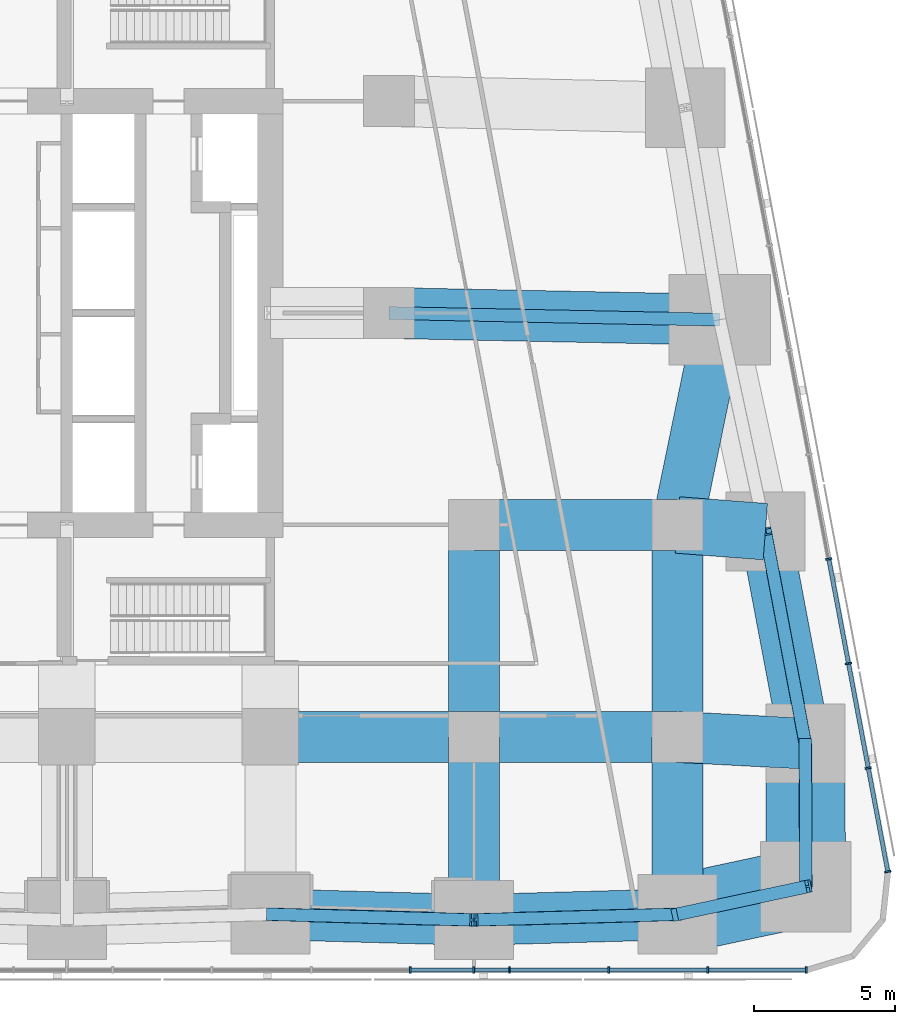
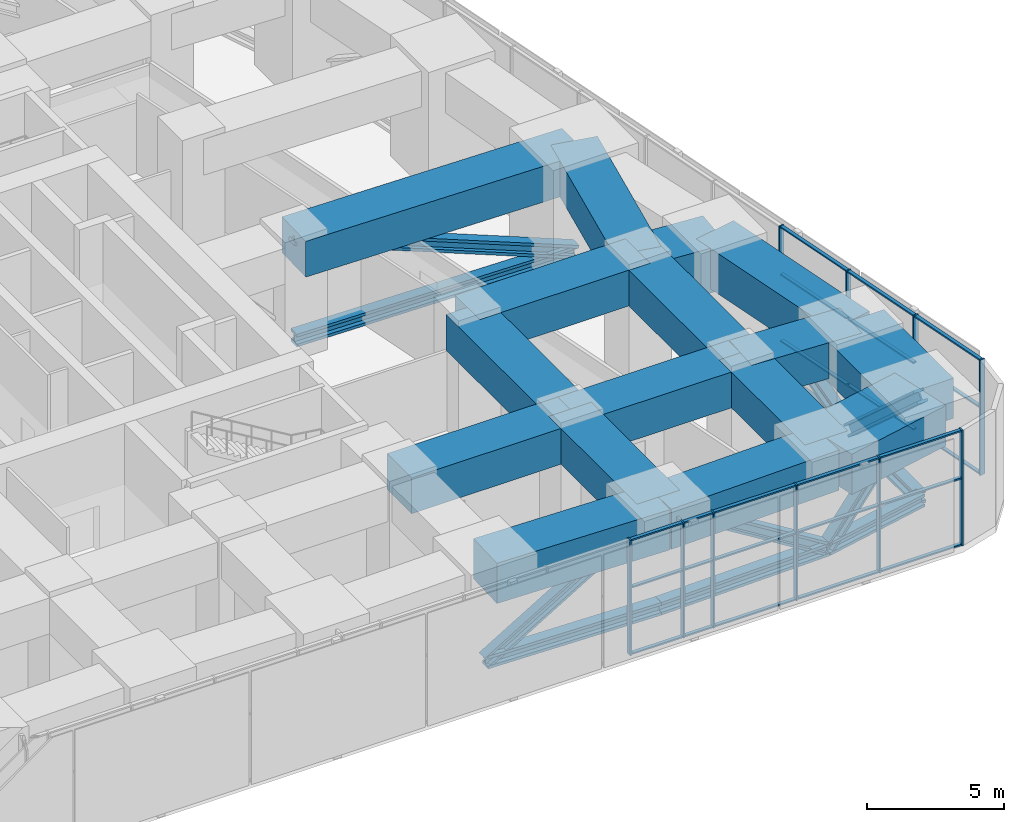
# One storey, part 5 of 20: 46 members, 16 beams, 2 elements without a shape of their own.
"""IFC4 building model written with IfcOpenShell, lengths in metres."""

from ifc_helpers import new_model, si_unit, direction, frame, origin, origin_2d, place, context, subcontext, project, spatial, rectangle, i_section, extrude, material, material_profile, profile_set, type_object, element, aggregate, save


model = new_model("IFC4")

# Units and contexts
model_context = context("Model", 3, precision=1e-05, world=origin(), true_north=direction((0.0, 1.0)))
body_context = subcontext(model_context, "Body", "Model", "MODEL_VIEW")
ifc_project = project(units=[si_unit("LENGTHUNIT", "METRE"), si_unit("AREAUNIT", "SQUARE_METRE"), si_unit("VOLUMEUNIT", "CUBIC_METRE"), si_unit("PLANEANGLEUNIT", "RADIAN"), si_unit("MASSUNIT", "GRAM", prefix="KILO")], contexts=[model_context])

# Site, building, storey
site_placement = place(None, origin())
site = spatial("IfcSite", under=ifc_project, at=site_placement, CompositionType="ELEMENT")
building_placement = place(site_placement, origin())
building = spatial("IfcBuilding", under=site, at=building_placement, Name="Sheger Commons Tower", CompositionType="ELEMENT")
storey_placement = place(building_placement, frame((0.0, 0.0, 72.5)))
storey = spatial("IfcBuildingStorey", under=building, at=storey_placement, Name="L18", CompositionType="ELEMENT", Elevation=72.5)

# Beams
ifc_material_1 = material(Name="Concrete C50/60", Category="concrete")
ifc_material_profile_1 = material_profile(ifc_material_1, rectangle(XDim=1.800048828125, YDim=1.60009765625, at=origin_2d()), Name="RC 1800x1600")
ifc_profile_set_1 = profile_set([ifc_material_profile_1], Name="Concrete C50/60")
beam_type_1 = type_object("IfcBeamType", Name="BEAM RC 1800x1600", PredefinedType="BEAM", material=ifc_profile_set_1)
for number, where, z_axis, x_axis, name in (
    (1, (28.800048828125, 7.5, 4.35009765625), (1.0, 0.0, 0.0), (0.0, 1.0, 0.0), "Beam 5/B-6/B under L19"),
    (2, (36.0, 7.5, 4.35009765625), (1.0, 0.0, 0.0), (0.0, 1.0, 0.0), "Beam 6/B-7/B under L19"),
):
    element("IfcBeam", number, at=place(storey_placement, frame(where, z_axis=z_axis, x_axis=x_axis)), inside=storey, type_object=beam_type_1, Name=name, PredefinedType="BEAM", context=body_context, shape_type="SweptSolid", body=[
        extrude(rectangle(XDim=1.800048828125, YDim=1.60009765625, at=origin_2d()), origin(), (0.0, 0.0, 1.0), 7.199951171875),
    ])
beam_1_placement = place(storey_placement, frame((43.199951171875, 7.5, 4.35009765625), z_axis=(0.998633543943, -0.052259400225, 0.0), x_axis=(0.052259400225, 0.998633543943, 0.0)))
element("IfcBeam", 3, at=beam_1_placement, inside=storey, type_object=beam_type_1, Name="Beam 7/B-E/B under L19", PredefinedType="BEAM", context=body_context, shape_type="SweptSolid", body=[
    extrude(rectangle(XDim=1.800048828125, YDim=1.60009765625, at=origin_2d()), origin(), (0.0, 0.0, 1.0), 4.5361328125),
])
beam_2_placement = place(storey_placement, frame((36.0, 15.0, 4.35009765625), z_axis=(1.0, 0.0, 0.0), x_axis=(0.0, 1.0, 0.0)))
element("IfcBeam", 4, at=beam_2_placement, inside=storey, type_object=beam_type_1, Name="Beam 6/C-7/C under L19", PredefinedType="BEAM", context=body_context, shape_type="SweptSolid", body=[
    extrude(rectangle(XDim=1.800048828125, YDim=1.60009765625, at=origin_2d()), origin(), (0.0, 0.0, 1.0), 7.199951171875),
])
beam_3_placement = place(storey_placement, frame((33.0, 22.5, 4.35009765625), z_axis=(0.999794692776, -0.02026258368, 0.0), x_axis=(0.02026258368, 0.999794692776, 0.0)))
element("IfcBeam", 5, at=beam_3_placement, inside=storey, type_object=beam_type_1, Name="Beam 6-3000/D-7/D under L19", PredefinedType="BEAM", context=body_context, shape_type="SweptSolid", body=[
    extrude(rectangle(XDim=1.800048828125, YDim=1.60009765625, at=origin_2d()), origin(), (0.0, 0.0, 1.0), 11.699462890625),
])
beam_4_placement = place(storey_placement, frame((36.0, 1.02490234375, 4.35009765625), z_axis=(0.0, 1.0, 0.0), x_axis=(-1.0, 0.0, 0.0)))
element("IfcBeam", 6, at=beam_4_placement, inside=storey, type_object=beam_type_1, Name="Beam 6/A-6/B under L19", PredefinedType="BEAM", context=body_context, shape_type="SweptSolid", body=[
    extrude(rectangle(XDim=1.800048828125, YDim=1.60009765625, at=origin_2d()), origin(), (0.0, 0.0, 1.0), 6.47509765625),
])
beam_5_placement = place(storey_placement, frame((36.0, 7.5, 4.35009765625), z_axis=(0.0, 1.0, 0.0), x_axis=(-1.0, 0.0, 0.0)))
element("IfcBeam", 7, at=beam_5_placement, inside=storey, type_object=beam_type_1, Name="Beam 6/B-6/C under L19", PredefinedType="BEAM", context=body_context, shape_type="SweptSolid", body=[
    extrude(rectangle(XDim=1.800048828125, YDim=1.60009765625, at=origin_2d()), origin(), (0.0, 0.0, 1.0), 7.5),
])
beam_6_placement = place(storey_placement, frame((43.199951171875, 1.22509765625, 4.35009765625), z_axis=(0.0, 1.0, 0.0), x_axis=(-1.0, 0.0, 0.0)))
element("IfcBeam", 8, at=beam_6_placement, inside=storey, type_object=beam_type_1, Name="Beam 7/A-7/B under L19", PredefinedType="BEAM", context=body_context, shape_type="SweptSolid", body=[
    extrude(rectangle(XDim=1.800048828125, YDim=1.60009765625, at=origin_2d()), origin(), (0.0, 0.0, 1.0), 6.27490234375),
])
beam_7_placement = place(storey_placement, frame((43.199951171875, 7.5, 4.35009765625), z_axis=(0.0, 1.0, 0.0), x_axis=(-1.0, 0.0, 0.0)))
element("IfcBeam", 9, at=beam_7_placement, inside=storey, type_object=beam_type_1, Name="Beam 7/B-7/C under L19", PredefinedType="BEAM", context=body_context, shape_type="SweptSolid", body=[
    extrude(rectangle(XDim=1.800048828125, YDim=1.60009765625, at=origin_2d()), origin(), (0.0, 0.0, 1.0), 7.5),
])
beam_8_placement = place(storey_placement, frame((43.199951171875, 15.0, 4.35009765625), z_axis=(0.201880503661, 0.979410160373, 0.0), x_axis=(-0.979410160373, 0.201880503661, 0.0)))
element("IfcBeam", 10, at=beam_8_placement, inside=storey, type_object=beam_type_1, Name="Beam 7/C-7/D under L19", PredefinedType="BEAM", context=body_context, shape_type="SweptSolid", body=[
    extrude(rectangle(XDim=1.800048828125, YDim=1.60009765625, at=origin_2d()), origin(), (0.0, 0.0, 1.0), 7.41552734375),
])
ifc_material_2 = material(Name="Concrete C50/60", Category="concrete")
ifc_material_profile_2 = material_profile(ifc_material_2, rectangle(XDim=2.0, YDim=2.0, at=origin_2d()), Name="RC 2000x2000")
ifc_profile_set_2 = profile_set([ifc_material_profile_2], Name="Concrete C50/60")
beam_type_2 = type_object("IfcBeamType", Name="BEAM RC 2000x2000", PredefinedType="BEAM", material=ifc_profile_set_2)
beam_9_placement = place(storey_placement, frame((43.199951171875, 15.0, 4.14990234375), z_axis=(0.997114873388, -0.075907372956, 0.0), x_axis=(0.075907372956, 0.997114873388, 0.0)))
element("IfcBeam", 11, at=beam_9_placement, inside=storey, type_object=beam_type_2, Name="Beam 7/C-E/C under L19", PredefinedType="BEAM", context=body_context, shape_type="SweptSolid", body=[
    extrude(rectangle(XDim=2.0, YDim=2.0, at=origin_2d()), origin(), (0.0, 0.0, 1.0), 3.123046875),
])

# Members
ifc_material_3 = material(Name="Steel S460", Category="steel")
ifc_material_profile_3 = material_profile(ifc_material_3, i_section(OverallWidth=0.4541015625, OverallDepth=0.569091796875, WebThickness=0.077880859375, FlangeThickness=0.125, at=origin_2d()), Name="HD 400x1086")
ifc_profile_set_3 = profile_set([ifc_material_profile_3], Name="Steel S460")
member_type_1 = type_object("IfcMemberType", Name="BRACE HD 400x1086", PredefinedType="BRACE", material=ifc_profile_set_3)
member_1_placement = place(storey_placement, frame((33.0, 22.5, 4.85009765625), z_axis=(0.931805978146, -0.018884673766, -0.362465154447), x_axis=(0.02026258368, 0.999794692776, 0.0)))
element("IfcMember", 12, at=member_1_placement, inside=storey, type_object=member_type_1, Name="Outrigger E diagonal 2", PredefinedType="BRACE", context=body_context, shape_type="SweptSolid", body=[
    extrude(i_section(OverallWidth=0.4541015625, OverallDepth=0.569091796875, WebThickness=0.077880859375, FlangeThickness=0.125, at=origin_2d()), origin(), (0.0, 0.0, 1.0), 12.552978515625),
])
ifc_material_4 = material(Name="Steel S460", Category="steel")
ifc_material_profile_4 = material_profile(ifc_material_4, i_section(OverallWidth=0.44189453125, OverallDepth=0.531005859375, WebThickness=0.06591796875, FlangeThickness=0.10595703125, at=origin_2d()), Name="HD 400x900")
ifc_profile_set_4 = profile_set([ifc_material_profile_4], Name="Steel S460")
member_type_2 = type_object("IfcMemberType", Name="BRACE HD 400x900", PredefinedType="BRACE", material=ifc_profile_set_4)
for number, where, z_axis, x_axis, name in (
    (13, (28.800048828125, 1.22509765625, 0.300048828125), (0.845111730935, -0.023498410341, 0.534073016494), (0.027794350926, 0.9996136624, 0.0), "Belt truss diagonal 28.800,1.225-36.000,1.025"),
    (14, (43.199951171875, 1.22509765625, 0.300048828125), (-0.845111730935, -0.023498410341, 0.534073016494), (0.027794350926, -0.9996136624, 0.0), "Belt truss diagonal 36.000,1.025-43.200,1.225"),
):
    element("IfcMember", number, at=place(storey_placement, frame(where, z_axis=z_axis, x_axis=x_axis)), inside=storey, type_object=member_type_2, Name=name, PredefinedType="BRACE", context=body_context, shape_type="SweptSolid", body=[
        extrude(i_section(OverallWidth=0.44189453125, OverallDepth=0.531005859375, WebThickness=0.06591796875, FlangeThickness=0.10595703125, at=origin_2d()), origin(), (0.0, 0.0, 1.0), 8.51953125),
    ])
member_2_placement = place(storey_placement, frame((43.199951171875, 1.22509765625, 0.300048828125), z_axis=(0.699022780536, 0.149380519046, 0.699322967462), x_axis=(-0.208980552394, 0.977919796671, 0.0)))
element("IfcMember", 15, at=member_2_placement, inside=storey, type_object=member_type_2, Name="Belt truss diagonal 43.200,1.225-47.748,2.197", PredefinedType="BRACE", context=body_context, shape_type="SweptSolid", body=[
    extrude(i_section(OverallWidth=0.44189453125, OverallDepth=0.531005859375, WebThickness=0.06591796875, FlangeThickness=0.10595703125, at=origin_2d()), origin(), (0.0, 0.0, 1.0), 6.50634765625),
])
member_3_placement = place(storey_placement, frame((47.72998046875, 7.262939453125, 0.300048828125), z_axis=(0.002653189258, -0.743968609516, 0.668209300026), x_axis=(0.999993640937, 0.003566242382, 0.0)))
element("IfcMember", 16, at=member_3_placement, inside=storey, type_object=member_type_2, Name="Belt truss diagonal 47.748,2.197-47.730,7.263", PredefinedType="BRACE", context=body_context, shape_type="SweptSolid", body=[
    extrude(i_section(OverallWidth=0.44189453125, OverallDepth=0.531005859375, WebThickness=0.06591796875, FlangeThickness=0.10595703125, at=origin_2d()), origin(), (0.0, 0.0, 1.0), 6.809326171875),
])
member_4_placement = place(storey_placement, frame((47.72998046875, 7.262939453125, 0.300048828125), z_axis=(-0.159356525965, 0.844040082352, 0.512056478346), x_axis=(-0.982639655108, -0.18552441405, 0.0)))
element("IfcMember", 17, at=member_4_placement, inside=storey, type_object=member_type_2, Name="Belt truss diagonal 47.730,7.263-46.314,14.763", PredefinedType="BRACE", context=body_context, shape_type="SweptSolid", body=[
    extrude(i_section(OverallWidth=0.44189453125, OverallDepth=0.531005859375, WebThickness=0.06591796875, FlangeThickness=0.10595703125, at=origin_2d()), origin(), (0.0, 0.0, 1.0), 8.8857421875),
])
ifc_material_5 = material(Name="Steel S460", Category="steel")
ifc_material_profile_5 = material_profile(ifc_material_5, i_section(OverallWidth=0.4541015625, OverallDepth=0.569091796875, WebThickness=0.077880859375, FlangeThickness=0.125, at=origin_2d()), Name="HD 400x1086")
ifc_profile_set_5 = profile_set([ifc_material_profile_5], Name="Steel S460")
member_type_3 = type_object("IfcMemberType", Name="CHORD HD 400x1086", PredefinedType="CHORD", material=ifc_profile_set_5)
for number, where, z_axis, x_axis, name in (
    (18, (28.800048828125, 1.22509765625, 0.300048828125), (0.9996136624, -0.027794350926, 0.0), (0.027794350926, 0.9996136624, 0.0), "Belt truss bottom chord 28.800,1.225-36.000,1.025"),
    (19, (36.0, 1.02490234375, 0.300048828125), (0.9996136624, 0.027794350926, 0.0), (-0.027794350926, 0.9996136624, 0.0), "Belt truss bottom chord 36.000,1.025-43.200,1.225"),
):
    element("IfcMember", number, at=place(storey_placement, frame(where, z_axis=z_axis, x_axis=x_axis)), inside=storey, type_object=member_type_3, Name=name, PredefinedType="CHORD", context=body_context, shape_type="SweptSolid", body=[
        extrude(i_section(OverallWidth=0.4541015625, OverallDepth=0.569091796875, WebThickness=0.077880859375, FlangeThickness=0.125, at=origin_2d()), origin(), (0.0, 0.0, 1.0), 7.20263671875),
    ])
member_5_placement = place(storey_placement, frame((43.199951171875, 1.22509765625, 0.300048828125), z_axis=(0.977919796671, 0.208980552394, 0.0), x_axis=(-0.208980552394, 0.977919796671, 0.0)))
element("IfcMember", 20, at=member_5_placement, inside=storey, type_object=member_type_3, Name="Belt truss bottom chord 43.200,1.225-47.748,2.197", PredefinedType="CHORD", context=body_context, shape_type="SweptSolid", body=[
    extrude(i_section(OverallWidth=0.4541015625, OverallDepth=0.569091796875, WebThickness=0.077880859375, FlangeThickness=0.125, at=origin_2d()), origin(), (0.0, 0.0, 1.0), 4.65087890625),
])
member_6_placement = place(storey_placement, frame((47.748046875, 2.197021484375, 0.300048828125), z_axis=(-0.003566242382, 0.999993640937, 0.0), x_axis=(-0.999993640937, -0.003566242382, 0.0)))
element("IfcMember", 21, at=member_6_placement, inside=storey, type_object=member_type_3, Name="Belt truss bottom chord 47.748,2.197-47.730,7.263", PredefinedType="CHORD", context=body_context, shape_type="SweptSolid", body=[
    extrude(i_section(OverallWidth=0.4541015625, OverallDepth=0.569091796875, WebThickness=0.077880859375, FlangeThickness=0.125, at=origin_2d()), origin(), (0.0, 0.0, 1.0), 5.06591796875),
])
member_7_placement = place(storey_placement, frame((47.72998046875, 7.262939453125, 0.300048828125), z_axis=(-0.18552441405, 0.982639655108, 0.0), x_axis=(-0.982639655108, -0.18552441405, 0.0)))
element("IfcMember", 22, at=member_7_placement, inside=storey, type_object=member_type_3, Name="Belt truss bottom chord 47.730,7.263-46.314,14.763", PredefinedType="CHORD", context=body_context, shape_type="SweptSolid", body=[
    extrude(i_section(OverallWidth=0.4541015625, OverallDepth=0.569091796875, WebThickness=0.077880859375, FlangeThickness=0.125, at=origin_2d()), origin(), (0.0, 0.0, 1.0), 7.632568359375),
])
member_8_placement = place(storey_placement, frame((33.0, 22.5, 0.300048828125), z_axis=(0.999794692776, -0.02026258368, 0.0), x_axis=(0.02026258368, 0.999794692776, 0.0)))
element("IfcMember", 23, at=member_8_placement, inside=storey, type_object=member_type_3, Name="Outrigger E bottom chord 6-3000/D-44.697,22.263", PredefinedType="CHORD", context=body_context, shape_type="SweptSolid", body=[
    extrude(i_section(OverallWidth=0.4541015625, OverallDepth=0.569091796875, WebThickness=0.077880859375, FlangeThickness=0.125, at=origin_2d()), origin(), (0.0, 0.0, 1.0), 11.699462890625),
])

# Curtain wall, members
ifc_material_6 = material(Name="Black aluminium curtain wall, dark tinted glazing", Category="aluminium")
curtain_wall_type = type_object("IfcCurtainWallType", Name="CURTAIN WALL CW3 SKY FLOOR", PredefinedType="USERDEFINED", material=ifc_material_6)
curtain_wall_1_placement = place(storey_placement, origin())
curtain_wall_1 = element("IfcCurtainWall", 24, at=curtain_wall_1_placement, inside=storey, type_object=curtain_wall_type, Name="Curtain Wall Cw3 Sky Floor S1 L18", ObjectType="UNITISED CURTAIN WALL", PredefinedType="USERDEFINED")
ifc_material_7 = material(Name="Black anodised aluminium", Category="aluminium")
ifc_material_profile_6 = material_profile(ifc_material_7, rectangle(XDim=0.22509765625, YDim=0.06494140625, at=origin_2d()), Name="AL 65x225")
ifc_profile_set_6 = profile_set([ifc_material_profile_6], Name="Black anodised aluminium")
member_type_4 = type_object("IfcMemberType", Name="MULLION AL 65x225", PredefinedType="MULLION", material=ifc_profile_set_6)
member_9_placement = place(storey_placement, frame((33.751953125, -0.75, 0.0), z_axis=(0.0, 0.0, 1.0), x_axis=(0.0, 1.0, 0.0)))
member_9 = element("IfcMember", 25, at=member_9_placement, type_object=member_type_4, Name="CW3 mullion 12", PredefinedType="MULLION", context=body_context, shape_type="SweptSolid", body=[
    extrude(rectangle(XDim=0.22509765625, YDim=0.06494140625, at=origin_2d()), origin(), (0.0, 0.0, 1.0), 5.14990234375),
])
member_10_placement = place(storey_placement, frame((36.0, -0.75, 0.0), z_axis=(0.0, 0.0, 1.0), x_axis=(0.0, 1.0, 0.0)))
member_10 = element("IfcMember", 26, at=member_10_placement, type_object=member_type_4, Name="CW3 mullion 13", PredefinedType="MULLION", context=body_context, shape_type="SweptSolid", body=[
    extrude(rectangle(XDim=0.22509765625, YDim=0.06494140625, at=origin_2d()), origin(), (0.0, 0.0, 1.0), 5.14990234375),
])
member_11_placement = place(storey_placement, frame((37.260986328125, -0.75, 0.0), z_axis=(0.0, 0.0, 1.0), x_axis=(0.0, 1.0, 0.0)))
member_11 = element("IfcMember", 27, at=member_11_placement, type_object=member_type_4, Name="CW3 mullion 14", PredefinedType="MULLION", context=body_context, shape_type="SweptSolid", body=[
    extrude(rectangle(XDim=0.22509765625, YDim=0.06494140625, at=origin_2d()), origin(), (0.0, 0.0, 1.0), 5.14990234375),
])
member_12_placement = place(storey_placement, frame((40.77099609375, -0.75, 0.0), z_axis=(0.0, 0.0, 1.0), x_axis=(0.0, 1.0, 0.0)))
member_12 = element("IfcMember", 28, at=member_12_placement, type_object=member_type_4, Name="CW3 mullion 15", PredefinedType="MULLION", context=body_context, shape_type="SweptSolid", body=[
    extrude(rectangle(XDim=0.22509765625, YDim=0.06494140625, at=origin_2d()), origin(), (0.0, 0.0, 1.0), 5.14990234375),
])
member_13_placement = place(storey_placement, frame((44.281005859375, -0.75, 0.0), z_axis=(0.0, 0.0, 1.0), x_axis=(0.0, 1.0, 0.0)))
member_13 = element("IfcMember", 29, at=member_13_placement, type_object=member_type_4, Name="CW3 mullion 16", PredefinedType="MULLION", context=body_context, shape_type="SweptSolid", body=[
    extrude(rectangle(XDim=0.22509765625, YDim=0.06494140625, at=origin_2d()), origin(), (0.0, 0.0, 1.0), 5.14990234375),
])
member_14_placement = place(storey_placement, frame((47.758544921875, -0.75, 0.0), z_axis=(0.0, 0.0, 1.0), x_axis=(0.0, 1.0, 0.0)))
member_14 = element("IfcMember", 30, at=member_14_placement, type_object=member_type_4, Name="CW3 mullion 17", PredefinedType="MULLION", context=body_context, shape_type="SweptSolid", body=[
    extrude(rectangle(XDim=0.22509765625, YDim=0.06494140625, at=origin_2d()), origin(), (0.0, 0.0, 1.0), 5.14990234375),
])

curtain_wall_2_placement = place(storey_placement, origin())
curtain_wall_2 = element("IfcCurtainWall", 31, at=curtain_wall_2_placement, inside=storey, type_object=curtain_wall_type, Name="Curtain Wall Cw3 Sky Floor E1 L18", ObjectType="UNITISED CURTAIN WALL", PredefinedType="USERDEFINED")
member_15_placement = place(storey_placement, frame((50.64697265625, 2.73486328125, 0.0), z_axis=(0.0, 0.0, 1.0), x_axis=(-0.982623514181, -0.185609884918, 0.0)))
member_15 = element("IfcMember", 32, at=member_15_placement, type_object=member_type_4, Name="CW3 mullion 1", PredefinedType="MULLION", context=body_context, shape_type="SweptSolid", body=[
    extrude(rectangle(XDim=0.22509765625, YDim=0.06494140625, at=origin_2d()), origin(), (0.0, 0.0, 1.0), 5.14990234375),
])
member_16_placement = place(storey_placement, frame((49.95458984375, 6.400634765625, 0.0), z_axis=(0.0, 0.0, 1.0), x_axis=(-0.982623514181, -0.185609884918, 0.0)))
member_16 = element("IfcMember", 33, at=member_16_placement, type_object=member_type_4, Name="CW3 mullion 2", PredefinedType="MULLION", context=body_context, shape_type="SweptSolid", body=[
    extrude(rectangle(XDim=0.22509765625, YDim=0.06494140625, at=origin_2d()), origin(), (0.0, 0.0, 1.0), 5.14990234375),
])
member_17_placement = place(storey_placement, frame((49.256103515625, 10.098388671875, 0.0), z_axis=(0.0, 0.0, 1.0), x_axis=(-0.982623514181, -0.185609884918, 0.0)))
member_17 = element("IfcMember", 34, at=member_17_placement, type_object=member_type_4, Name="CW3 mullion 3", PredefinedType="MULLION", context=body_context, shape_type="SweptSolid", body=[
    extrude(rectangle(XDim=0.22509765625, YDim=0.06494140625, at=origin_2d()), origin(), (0.0, 0.0, 1.0), 5.14990234375),
])
member_18_placement = place(storey_placement, frame((48.5576171875, 13.7958984375, 0.0), z_axis=(0.0, 0.0, 1.0), x_axis=(-0.982623514181, -0.185609884918, 0.0)))
member_18 = element("IfcMember", 35, at=member_18_placement, type_object=member_type_4, Name="CW3 mullion 4", PredefinedType="MULLION", context=body_context, shape_type="SweptSolid", body=[
    extrude(rectangle(XDim=0.22509765625, YDim=0.06494140625, at=origin_2d()), origin(), (0.0, 0.0, 1.0), 5.14990234375),
])

# Beams
ifc_material_8 = material(Name="Concrete C50/60", Category="concrete")
ifc_material_profile_7 = material_profile(ifc_material_8, rectangle(XDim=1.800048828125, YDim=1.800048828125, at=origin_2d()), Name="RC 1800x1800")
ifc_profile_set_7 = profile_set([ifc_material_profile_7], Name="Concrete C50/60")
beam_type_3 = type_object("IfcBeamType", Name="SPANDREL RC 1800x1800", PredefinedType="SPANDREL", material=ifc_profile_set_7)
for number, where, z_axis, x_axis, name in (
    (36, (28.800048828125, 1.22509765625, 4.25), (0.9996136624, -0.027794350926, 0.0), (0.027794350926, 0.9996136624, 0.0), "Beam 5/A-6/A under L19"),
    (37, (36.0, 1.02490234375, 4.25), (0.9996136624, 0.027794350926, 0.0), (-0.027794350926, 0.9996136624, 0.0), "Beam 6/A-7/A under L19"),
):
    element("IfcBeam", number, at=place(storey_placement, frame(where, z_axis=z_axis, x_axis=x_axis)), inside=storey, type_object=beam_type_3, Name=name, PredefinedType="SPANDREL", context=body_context, shape_type="SweptSolid", body=[
        extrude(rectangle(XDim=1.800048828125, YDim=1.800048828125, at=origin_2d()), origin(), (0.0, 0.0, 1.0), 7.20263671875),
    ])
beam_10_placement = place(storey_placement, frame((47.72998046875, 7.262939453125, 4.25), z_axis=(-0.18552441405, 0.982639655108, 0.0), x_axis=(-0.982639655108, -0.18552441405, 0.0)))
element("IfcBeam", 38, at=beam_10_placement, inside=storey, type_object=beam_type_3, Name="Beam E/B-E/C under L19", PredefinedType="SPANDREL", context=body_context, shape_type="SweptSolid", body=[
    extrude(rectangle(XDim=1.800048828125, YDim=1.800048828125, at=origin_2d()), origin(), (0.0, 0.0, 1.0), 7.632568359375),
])
ifc_material_9 = material(Name="Concrete C50/60", Category="concrete")
ifc_material_profile_8 = material_profile(ifc_material_9, rectangle(XDim=2.800048828125, YDim=1.800048828125, at=origin_2d()), Name="RC 2800x1800")
ifc_profile_set_8 = profile_set([ifc_material_profile_8], Name="Concrete C50/60")
beam_type_4 = type_object("IfcBeamType", Name="SPANDREL RC 2800x1800", PredefinedType="SPANDREL", material=ifc_profile_set_8)
beam_11_placement = place(storey_placement, frame((43.199951171875, 1.22509765625, 4.25), z_axis=(0.977919796671, 0.208980552394, 0.0), x_axis=(-0.208980552394, 0.977919796671, 0.0)))
element("IfcBeam", 39, at=beam_11_placement, inside=storey, type_object=beam_type_4, Name="Beam 7/A-49.461,0.778 under L19", PredefinedType="SPANDREL", context=body_context, shape_type="SweptSolid", body=[
    extrude(rectangle(XDim=2.800048828125, YDim=1.800048828125, at=origin_2d()), origin(), (0.0, 0.0, 1.0), 4.65087890625),
])
beam_12_placement = place(storey_placement, frame((47.748046875, 2.197021484375, 4.25), z_axis=(-0.003566242382, 0.999993640937, 0.0), x_axis=(-0.999993640937, -0.003566242382, 0.0)))
element("IfcBeam", 40, at=beam_12_placement, inside=storey, type_object=beam_type_4, Name="Beam 49.461,0.778-E/B under L19", PredefinedType="SPANDREL", context=body_context, shape_type="SweptSolid", body=[
    extrude(rectangle(XDim=2.800048828125, YDim=1.800048828125, at=origin_2d()), origin(), (0.0, 0.0, 1.0), 5.06591796875),
])

# Member
ifc_material_10 = material(Name="Black anodised aluminium", Category="aluminium")
ifc_material_profile_9 = material_profile(ifc_material_10, rectangle(XDim=0.14990234375, YDim=0.06494140625, at=origin_2d()), Name="AL 65x150")
ifc_profile_set_9 = profile_set([ifc_material_profile_9], Name="Black anodised aluminium")
member_type_5 = type_object("IfcMemberType", Name="TRANSOM AL 65x150", PredefinedType="USERDEFINED", material=ifc_profile_set_9)
member_19_placement = place(storey_placement, frame((33.784423828125, -0.75, 0.032470703125), z_axis=(1.0, 0.0, 0.0), x_axis=(0.0, 1.0, 0.0)))
member_19 = element("IfcMember", 41, at=member_19_placement, type_object=member_type_5, Name="CW3 transom 12.1", ObjectType="TRANSOM", PredefinedType="USERDEFINED", context=body_context, shape_type="SweptSolid", body=[
    extrude(rectangle(XDim=0.14990234375, YDim=0.06494140625, at=origin_2d()), origin(), (0.0, 0.0, 1.0), 2.18310546875),
])

member_20_placement = place(storey_placement, frame((33.784423828125, -0.75, 3.0), z_axis=(1.0, 0.0, 0.0), x_axis=(0.0, 1.0, 0.0)))
member_20 = element("IfcMember", 42, at=member_20_placement, type_object=member_type_5, Name="CW3 transom 12.2", ObjectType="TRANSOM", PredefinedType="USERDEFINED", context=body_context, shape_type="SweptSolid", body=[
    extrude(rectangle(XDim=0.14990234375, YDim=0.06494140625, at=origin_2d()), origin(), (0.0, 0.0, 1.0), 2.18310546875),
])

member_21_placement = place(storey_placement, frame((33.784423828125, -0.75, 5.117431640625), z_axis=(1.0, 0.0, 0.0), x_axis=(0.0, 1.0, 0.0)))
member_21 = element("IfcMember", 43, at=member_21_placement, type_object=member_type_5, Name="CW3 transom 12.3", ObjectType="TRANSOM", PredefinedType="USERDEFINED", context=body_context, shape_type="SweptSolid", body=[
    extrude(rectangle(XDim=0.14990234375, YDim=0.06494140625, at=origin_2d()), origin(), (0.0, 0.0, 1.0), 2.18310546875),
])

member_22_placement = place(storey_placement, frame((36.032470703125, -0.75, 0.032470703125), z_axis=(1.0, 0.0, 0.0), x_axis=(0.0, 1.0, 0.0)))
member_22 = element("IfcMember", 44, at=member_22_placement, type_object=member_type_5, Name="CW3 transom 13.1", ObjectType="TRANSOM", PredefinedType="USERDEFINED", context=body_context, shape_type="SweptSolid", body=[
    extrude(rectangle(XDim=0.14990234375, YDim=0.06494140625, at=origin_2d()), origin(), (0.0, 0.0, 1.0), 1.196044921875),
])

member_23_placement = place(storey_placement, frame((36.032470703125, -0.75, 3.0), z_axis=(1.0, 0.0, 0.0), x_axis=(0.0, 1.0, 0.0)))
member_23 = element("IfcMember", 45, at=member_23_placement, type_object=member_type_5, Name="CW3 transom 13.2", ObjectType="TRANSOM", PredefinedType="USERDEFINED", context=body_context, shape_type="SweptSolid", body=[
    extrude(rectangle(XDim=0.14990234375, YDim=0.06494140625, at=origin_2d()), origin(), (0.0, 0.0, 1.0), 1.196044921875),
])

member_24_placement = place(storey_placement, frame((36.032470703125, -0.75, 5.117431640625), z_axis=(1.0, 0.0, 0.0), x_axis=(0.0, 1.0, 0.0)))
member_24 = element("IfcMember", 46, at=member_24_placement, type_object=member_type_5, Name="CW3 transom 13.3", ObjectType="TRANSOM", PredefinedType="USERDEFINED", context=body_context, shape_type="SweptSolid", body=[
    extrude(rectangle(XDim=0.14990234375, YDim=0.06494140625, at=origin_2d()), origin(), (0.0, 0.0, 1.0), 1.196044921875),
])

member_25_placement = place(storey_placement, frame((37.29345703125, -0.75, 0.032470703125), z_axis=(1.0, 0.0, 0.0), x_axis=(0.0, 1.0, 0.0)))
member_25 = element("IfcMember", 47, at=member_25_placement, type_object=member_type_5, Name="CW3 transom 14.1", ObjectType="TRANSOM", PredefinedType="USERDEFINED", context=body_context, shape_type="SweptSolid", body=[
    extrude(rectangle(XDim=0.14990234375, YDim=0.06494140625, at=origin_2d()), origin(), (0.0, 0.0, 1.0), 3.445068359375),
])

member_26_placement = place(storey_placement, frame((37.29345703125, -0.75, 3.0), z_axis=(1.0, 0.0, 0.0), x_axis=(0.0, 1.0, 0.0)))
member_26 = element("IfcMember", 48, at=member_26_placement, type_object=member_type_5, Name="CW3 transom 14.2", ObjectType="TRANSOM", PredefinedType="USERDEFINED", context=body_context, shape_type="SweptSolid", body=[
    extrude(rectangle(XDim=0.14990234375, YDim=0.06494140625, at=origin_2d()), origin(), (0.0, 0.0, 1.0), 3.445068359375),
])

member_27_placement = place(storey_placement, frame((37.29345703125, -0.75, 5.117431640625), z_axis=(1.0, 0.0, 0.0), x_axis=(0.0, 1.0, 0.0)))
member_27 = element("IfcMember", 49, at=member_27_placement, type_object=member_type_5, Name="CW3 transom 14.3", ObjectType="TRANSOM", PredefinedType="USERDEFINED", context=body_context, shape_type="SweptSolid", body=[
    extrude(rectangle(XDim=0.14990234375, YDim=0.06494140625, at=origin_2d()), origin(), (0.0, 0.0, 1.0), 3.445068359375),
])

member_28_placement = place(storey_placement, frame((40.803466796875, -0.75, 0.032470703125), z_axis=(1.0, 0.0, 0.0), x_axis=(0.0, 1.0, 0.0)))
member_28 = element("IfcMember", 50, at=member_28_placement, type_object=member_type_5, Name="CW3 transom 15.1", ObjectType="TRANSOM", PredefinedType="USERDEFINED", context=body_context, shape_type="SweptSolid", body=[
    extrude(rectangle(XDim=0.14990234375, YDim=0.06494140625, at=origin_2d()), origin(), (0.0, 0.0, 1.0), 3.445068359375),
])

member_29_placement = place(storey_placement, frame((40.803466796875, -0.75, 3.0), z_axis=(1.0, 0.0, 0.0), x_axis=(0.0, 1.0, 0.0)))
member_29 = element("IfcMember", 51, at=member_29_placement, type_object=member_type_5, Name="CW3 transom 15.2", ObjectType="TRANSOM", PredefinedType="USERDEFINED", context=body_context, shape_type="SweptSolid", body=[
    extrude(rectangle(XDim=0.14990234375, YDim=0.06494140625, at=origin_2d()), origin(), (0.0, 0.0, 1.0), 3.445068359375),
])

member_30_placement = place(storey_placement, frame((40.803466796875, -0.75, 5.117431640625), z_axis=(1.0, 0.0, 0.0), x_axis=(0.0, 1.0, 0.0)))
member_30 = element("IfcMember", 52, at=member_30_placement, type_object=member_type_5, Name="CW3 transom 15.3", ObjectType="TRANSOM", PredefinedType="USERDEFINED", context=body_context, shape_type="SweptSolid", body=[
    extrude(rectangle(XDim=0.14990234375, YDim=0.06494140625, at=origin_2d()), origin(), (0.0, 0.0, 1.0), 3.445068359375),
])

member_31_placement = place(storey_placement, frame((44.3134765625, -0.75, 0.032470703125), z_axis=(1.0, 0.0, 0.0), x_axis=(0.0, 1.0, 0.0)))
member_31 = element("IfcMember", 53, at=member_31_placement, type_object=member_type_5, Name="CW3 transom 16.1", ObjectType="TRANSOM", PredefinedType="USERDEFINED", context=body_context, shape_type="SweptSolid", body=[
    extrude(rectangle(XDim=0.14990234375, YDim=0.06494140625, at=origin_2d()), origin(), (0.0, 0.0, 1.0), 3.41259765625),
])

member_32_placement = place(storey_placement, frame((44.3134765625, -0.75, 3.0), z_axis=(1.0, 0.0, 0.0), x_axis=(0.0, 1.0, 0.0)))
member_32 = element("IfcMember", 54, at=member_32_placement, type_object=member_type_5, Name="CW3 transom 16.2", ObjectType="TRANSOM", PredefinedType="USERDEFINED", context=body_context, shape_type="SweptSolid", body=[
    extrude(rectangle(XDim=0.14990234375, YDim=0.06494140625, at=origin_2d()), origin(), (0.0, 0.0, 1.0), 3.41259765625),
])

member_33_placement = place(storey_placement, frame((44.3134765625, -0.75, 5.117431640625), z_axis=(1.0, 0.0, 0.0), x_axis=(0.0, 1.0, 0.0)))
member_33 = element("IfcMember", 55, at=member_33_placement, type_object=member_type_5, Name="CW3 transom 16.3", ObjectType="TRANSOM", PredefinedType="USERDEFINED", context=body_context, shape_type="SweptSolid", body=[
    extrude(rectangle(XDim=0.14990234375, YDim=0.06494140625, at=origin_2d()), origin(), (0.0, 0.0, 1.0), 3.41259765625),
])

aggregate(curtain_wall_1, [member_9, member_10, member_11, member_12, member_13, member_14, member_19, member_20, member_21, member_22, member_23, member_24, member_25, member_26, member_27, member_28, member_29, member_30, member_31, member_32, member_33])

member_34_placement = place(storey_placement, frame((50.640869140625, 2.766845703125, 0.032470703125), z_axis=(-0.185563185982, 0.982632334095, 0.0), x_axis=(-0.982632334095, -0.185563185982, 0.0)))
member_34 = element("IfcMember", 56, at=member_34_placement, type_object=member_type_5, Name="CW3 transom 1.1", ObjectType="TRANSOM", PredefinedType="USERDEFINED", context=body_context, shape_type="SweptSolid", body=[
    extrude(rectangle(XDim=0.14990234375, YDim=0.06494140625, at=origin_2d()), origin(), (0.0, 0.0, 1.0), 3.66552734375),
])

member_35_placement = place(storey_placement, frame((50.640869140625, 2.766845703125, 3.0), z_axis=(-0.185563185982, 0.982632334095, 0.0), x_axis=(-0.982632334095, -0.185563185982, 0.0)))
member_35 = element("IfcMember", 57, at=member_35_placement, type_object=member_type_5, Name="CW3 transom 1.2", ObjectType="TRANSOM", PredefinedType="USERDEFINED", context=body_context, shape_type="SweptSolid", body=[
    extrude(rectangle(XDim=0.14990234375, YDim=0.06494140625, at=origin_2d()), origin(), (0.0, 0.0, 1.0), 3.66552734375),
])

member_36_placement = place(storey_placement, frame((50.640869140625, 2.766845703125, 5.117431640625), z_axis=(-0.185563185982, 0.982632334095, 0.0), x_axis=(-0.982632334095, -0.185563185982, 0.0)))
member_36 = element("IfcMember", 58, at=member_36_placement, type_object=member_type_5, Name="CW3 transom 1.3", ObjectType="TRANSOM", PredefinedType="USERDEFINED", context=body_context, shape_type="SweptSolid", body=[
    extrude(rectangle(XDim=0.14990234375, YDim=0.06494140625, at=origin_2d()), origin(), (0.0, 0.0, 1.0), 3.66552734375),
])

member_37_placement = place(storey_placement, frame((49.948486328125, 6.4326171875, 0.032470703125), z_axis=(-0.185579860214, 0.982629185137, 0.0), x_axis=(-0.982629185137, -0.185579860214, 0.0)))
member_37 = element("IfcMember", 59, at=member_37_placement, type_object=member_type_5, Name="CW3 transom 2.1", ObjectType="TRANSOM", PredefinedType="USERDEFINED", context=body_context, shape_type="SweptSolid", body=[
    extrude(rectangle(XDim=0.14990234375, YDim=0.06494140625, at=origin_2d()), origin(), (0.0, 0.0, 1.0), 3.697998046875),
])

member_38_placement = place(storey_placement, frame((49.948486328125, 6.4326171875, 3.0), z_axis=(-0.185579860214, 0.982629185137, 0.0), x_axis=(-0.982629185137, -0.185579860214, 0.0)))
member_38 = element("IfcMember", 60, at=member_38_placement, type_object=member_type_5, Name="CW3 transom 2.2", ObjectType="TRANSOM", PredefinedType="USERDEFINED", context=body_context, shape_type="SweptSolid", body=[
    extrude(rectangle(XDim=0.14990234375, YDim=0.06494140625, at=origin_2d()), origin(), (0.0, 0.0, 1.0), 3.697998046875),
])

member_39_placement = place(storey_placement, frame((49.948486328125, 6.4326171875, 5.117431640625), z_axis=(-0.185579860214, 0.982629185137, 0.0), x_axis=(-0.982629185137, -0.185579860214, 0.0)))
member_39 = element("IfcMember", 61, at=member_39_placement, type_object=member_type_5, Name="CW3 transom 2.3", ObjectType="TRANSOM", PredefinedType="USERDEFINED", context=body_context, shape_type="SweptSolid", body=[
    extrude(rectangle(XDim=0.14990234375, YDim=0.06494140625, at=origin_2d()), origin(), (0.0, 0.0, 1.0), 3.697998046875),
])

member_40_placement = place(storey_placement, frame((49.25, 10.130126953125, 0.032470703125), z_axis=(-0.185579860214, 0.982629185137, 0.0), x_axis=(-0.982629185137, -0.185579860214, 0.0)))
member_40 = element("IfcMember", 62, at=member_40_placement, type_object=member_type_5, Name="CW3 transom 3.1", ObjectType="TRANSOM", PredefinedType="USERDEFINED", context=body_context, shape_type="SweptSolid", body=[
    extrude(rectangle(XDim=0.14990234375, YDim=0.06494140625, at=origin_2d()), origin(), (0.0, 0.0, 1.0), 3.697998046875),
])

member_41_placement = place(storey_placement, frame((49.25, 10.130126953125, 3.0), z_axis=(-0.185579860214, 0.982629185137, 0.0), x_axis=(-0.982629185137, -0.185579860214, 0.0)))
member_41 = element("IfcMember", 63, at=member_41_placement, type_object=member_type_5, Name="CW3 transom 3.2", ObjectType="TRANSOM", PredefinedType="USERDEFINED", context=body_context, shape_type="SweptSolid", body=[
    extrude(rectangle(XDim=0.14990234375, YDim=0.06494140625, at=origin_2d()), origin(), (0.0, 0.0, 1.0), 3.697998046875),
])

member_42_placement = place(storey_placement, frame((49.25, 10.130126953125, 5.117431640625), z_axis=(-0.185579860214, 0.982629185137, 0.0), x_axis=(-0.982629185137, -0.185579860214, 0.0)))
member_42 = element("IfcMember", 64, at=member_42_placement, type_object=member_type_5, Name="CW3 transom 3.3", ObjectType="TRANSOM", PredefinedType="USERDEFINED", context=body_context, shape_type="SweptSolid", body=[
    extrude(rectangle(XDim=0.14990234375, YDim=0.06494140625, at=origin_2d()), origin(), (0.0, 0.0, 1.0), 3.697998046875),
])

aggregate(curtain_wall_2, [member_15, member_16, member_17, member_18, member_34, member_35, member_36, member_37, member_38, member_39, member_40, member_41, member_42])

save(model, "model.ifc")
